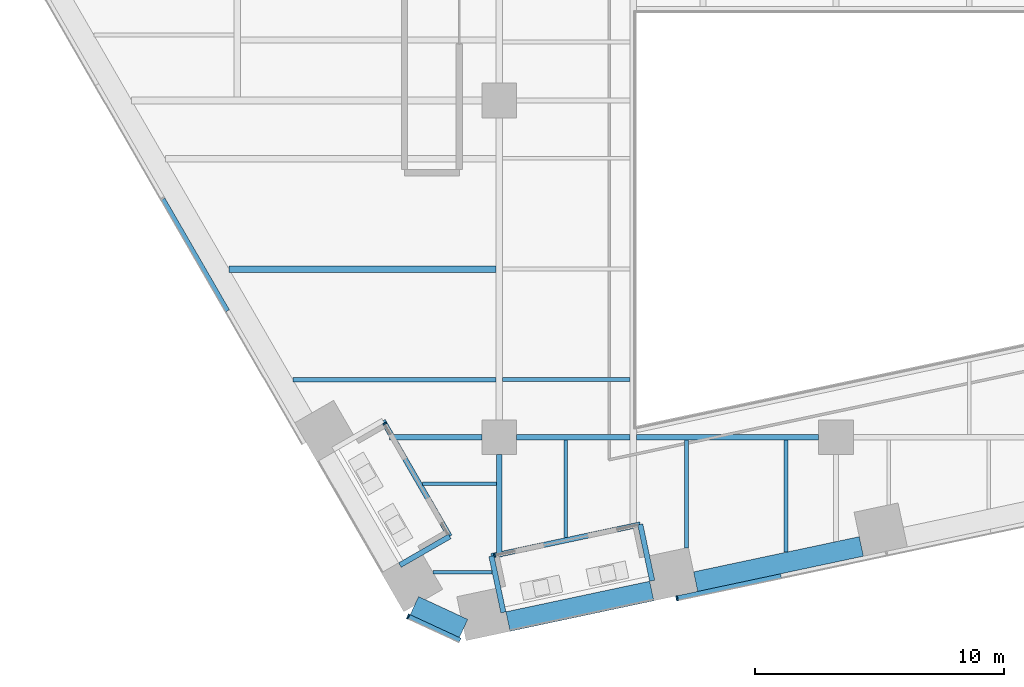
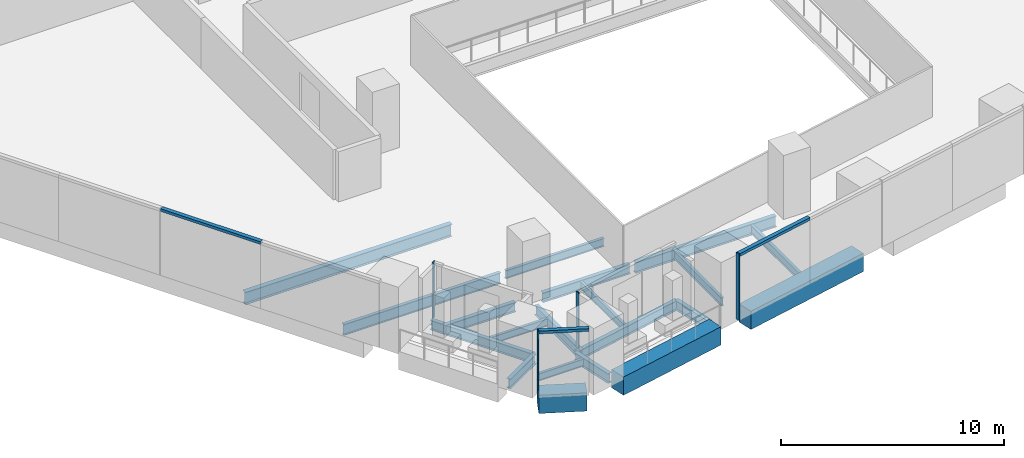
# One storey, part 2 of 28: 20 beams, 7 members, 5 elements without a shape of their own.
"""IFC4 building model written with IfcOpenShell, lengths in metres."""

import ifcopenshell
import ifcopenshell.guid

model = None  # the IFC model being written
_history = None  # IfcOwnerHistory: only IFC2X3 demands one
_inside = {}  # id of a spatial element -> (the spatial element, [elements in it])
_under = {}  # id of a project, library or spatial element -> (it, [spatial elements below it])
_declared = {}  # id of a project -> (the project, [libraries it declares])
_typed = {}  # id of a type object -> (the type object, [elements of that type])
_made_of = {}  # id of a material, layer set ... -> (it, [elements and type objects made of it])


def new_model(schema):
    """Start an empty IFC model of exactly this schema.

    Asked for "IFC4X3", IfcOpenShell would pick the latest addendum, in which some entities
    have other attributes; the version numbers below select the first issue.
    IFC2X3 requires an IfcOwnerHistory on every rooted entity: one is made here for all.
    """
    global model, _history
    if schema == "IFC4X3":
        model = ifcopenshell.file(schema_version=(4, 3, 0, 0))
    else:
        model = ifcopenshell.file(schema=schema)
    _inside.clear()
    _under.clear()
    _declared.clear()
    _typed.clear()
    _made_of.clear()
    _history = None
    if model.schema == "IFC2X3":
        org = make("IfcOrganization", Name="unknown")
        user = make(
            "IfcPersonAndOrganization",
            ThePerson=make("IfcPerson", FamilyName="unknown"),
            TheOrganization=org,
        )
        app = make(
            "IfcApplication",
            ApplicationDeveloper=org,
            Version="unknown",
            ApplicationFullName="unknown",
            ApplicationIdentifier="unknown",
        )
        _history = make(
            "IfcOwnerHistory",
            OwningUser=user,
            OwningApplication=app,
            ChangeAction="ADDED",
            CreationDate=0,
        )
    return model


def make(cls, **values):
    """One entity of the class cls with the attributes given. An attribute that is None is left unset."""
    return model.create_entity(
        cls, **{name: value for name, value in values.items() if value is not None}
    )


def rooted(cls, **values):
    """An entity with a GlobalId (a new one), such as an element, a storey or a relation."""
    return make(cls, GlobalId=ifcopenshell.guid.new(), OwnerHistory=_history, **values)


def si_unit(unit_type, name, prefix=None):
    """IfcSIUnit, for example si_unit("LENGTHUNIT", "METRE", prefix="MILLI")."""
    return make("IfcSIUnit", UnitType=unit_type, Prefix=prefix, Name=name)


def assignment(units):
    """IfcUnitAssignment: the units of a project."""
    return None if units is None else make("IfcUnitAssignment", Units=units)


def point(xyz):
    """IfcCartesianPoint."""
    return None if xyz is None else make("IfcCartesianPoint", Coordinates=xyz)


def direction(xyz):
    """IfcDirection."""
    return None if xyz is None else make("IfcDirection", DirectionRatios=xyz)


def frame(location, z_axis=None, x_axis=None):
    """IfcAxis2Placement3D, a coordinate frame: its origin and axes. An axis left out is left unset."""
    return make(
        "IfcAxis2Placement3D",
        Location=point(location),
        Axis=direction(z_axis),
        RefDirection=direction(x_axis),
    )


def frame_2d(location, x_axis=None):
    """IfcAxis2Placement2D, a coordinate frame in the plane: its origin and x axis."""
    return make(
        "IfcAxis2Placement2D", Location=point(location), RefDirection=direction(x_axis)
    )


def origin():
    """The frame at (0, 0, 0) with its axes left unset."""
    return frame((0.0, 0.0, 0.0))


def origin_2d():
    """The frame at (0, 0) in the plane with its x axis left unset."""
    return frame_2d((0.0, 0.0))


def place(relative_to, where):
    """IfcLocalPlacement: puts the frame where relative to a parent placement (None: the world)."""
    return make(
        "IfcLocalPlacement", PlacementRelTo=relative_to, RelativePlacement=where
    )


def context(
    kind, dimensions, precision=None, world=None, true_north=None, identifier=None
):
    """IfcGeometricRepresentationContext, for example the 3D "Model" context."""
    return make(
        "IfcGeometricRepresentationContext",
        ContextIdentifier=identifier,
        ContextType=kind,
        CoordinateSpaceDimension=dimensions,
        Precision=precision,
        WorldCoordinateSystem=world,
        TrueNorth=true_north,
    )


def subcontext(parent, identifier, kind, view, scale=None):
    """IfcGeometricRepresentationSubContext, for example "Body" below "Model"."""
    return make(
        "IfcGeometricRepresentationSubContext",
        ContextIdentifier=identifier,
        ContextType=kind,
        ParentContext=parent,
        TargetScale=scale,
        TargetView=view,
    )


def project(units=None, contexts=None):
    """IfcProject with its units and contexts."""
    return rooted(
        "IfcProject",
        Name="project",
        RepresentationContexts=contexts,
        UnitsInContext=assignment(units),
    )


def spatial(cls, under=None, at=None, **own):
    """A site, building, storey or space (cls), placed at a placement, below another one or the project."""
    s = rooted(cls, ObjectPlacement=at, **own)
    if under is not None:
        _under.setdefault(under.id(), (under, []))[1].append(s)
    return s


def profile(cls, at=None, kind="AREA", **sizes):
    """A parametric profile (cls). Its sizes go by their IFC names, for example OverallWidth=200.0."""
    return make(cls, ProfileType=kind, Position=at, **sizes)


def rectangle(**sizes):
    """IfcRectangleProfileDef."""
    return profile("IfcRectangleProfileDef", **sizes)


def i_section(**sizes):
    """IfcIShapeProfileDef."""
    return profile("IfcIShapeProfileDef", **sizes)


def extrude(swept, where, along, depth):
    """IfcExtrudedAreaSolid: the profile swept, set in the frame where, extruded along a direction by depth."""
    return make(
        "IfcExtrudedAreaSolid",
        SweptArea=swept,
        Position=where,
        ExtrudedDirection=direction(along),
        Depth=depth,
    )


def shape(context_of_items, identifier, shape_type, items):
    """IfcShapeRepresentation: the items that make up one representation, for example the "Body"."""
    return make(
        "IfcShapeRepresentation",
        ContextOfItems=context_of_items,
        RepresentationIdentifier=identifier,
        RepresentationType=shape_type,
        Items=items,
    )


def material(Name=None, Category=None):
    """IfcMaterial."""
    return make("IfcMaterial", Name=Name, Category=Category)


def layer(
    of_material, thickness, ventilated=None, Name=None, Category=None, Priority=None
):
    """IfcMaterialLayer: one layer of a wall or slab, of a material (None: an air gap)."""
    return make(
        "IfcMaterialLayer",
        Material=of_material,
        LayerThickness=thickness,
        IsVentilated=ventilated,
        Name=Name,
        Category=Category,
        Priority=Priority,
    )


def layer_set(layers, Name=None):
    """IfcMaterialLayerSet."""
    return make("IfcMaterialLayerSet", MaterialLayers=layers, LayerSetName=Name)


def material_profile(
    of_material, cross_section, Name=None, Category=None, Priority=None
):
    """IfcMaterialProfile: a cross section and its material."""
    return make(
        "IfcMaterialProfile",
        Name=Name,
        Material=of_material,
        Profile=cross_section,
        Priority=Priority,
        Category=Category,
    )


def profile_set(profiles, Name=None, composite=None):
    """IfcMaterialProfileSet."""
    return make(
        "IfcMaterialProfileSet",
        Name=Name,
        MaterialProfiles=profiles,
        CompositeProfile=composite,
    )


def made_of(thing, what):
    """Note that an element or type object is made of a material, layer set ...; save() writes the relation."""
    if what is not None:
        _made_of.setdefault(what.id(), (what, []))[1].append(thing)
    return thing


def type_object(cls, material=None, **own):
    """A type object (cls), such as IfcWallType, which elements share."""
    return made_of(rooted(cls, **own), material)


def element(
    cls,
    number,
    at=None,
    inside=None,
    cuts=None,
    type_object=None,
    material=None,
    context=None,
    identifier="Body",
    shape_type=None,
    held_by="IfcProductDefinitionShape",
    body=None,
    shapes=None,
    **own,
):
    """One element of the class cls, such as IfcWall. Its Tag is "e" and its number.

    at: its placement. inside: the storey or other place that contains it. cuts: it is an
    opening in that element (IfcRelVoidsElement). A single representation is given by context,
    identifier, shape_type and body (its items); several are given by shapes. held_by: the class
    of the entity that holds the representations. save() writes the other relations.
    """
    e = rooted(cls, Tag="e%d" % number, ObjectPlacement=at, **own)
    if body is not None:
        shapes = [shape(context, identifier, shape_type, body)]
    if shapes is not None:
        e.Representation = make(held_by, Representations=shapes)
    if inside is not None:
        _inside.setdefault(inside.id(), (inside, []))[1].append(e)
    if cuts is not None:
        rooted(
            "IfcRelVoidsElement", RelatingBuildingElement=cuts, RelatedOpeningElement=e
        )
    if type_object is not None:
        _typed.setdefault(type_object.id(), (type_object, []))[1].append(e)
    return made_of(e, material)


def aggregate(whole, parts):
    """IfcRelAggregates: a whole, such as a stair, and the parts it consists of."""
    return rooted("IfcRelAggregates", RelatingObject=whole, RelatedObjects=parts)


def save(model, path):
    """Write the relations noted so far, then the file.

    IfcRelAggregates (storeys below a building ...), IfcRelContainedInSpatialStructure (elements
    in a storey), IfcRelDefinesByType, IfcRelAssociatesMaterial and IfcRelDeclares: one each for
    every whole, place, type object, material and project.
    """
    for whole, parts in _under.values():
        aggregate(whole, parts)
    for where, things in _inside.values():
        rooted(
            "IfcRelContainedInSpatialStructure",
            RelatedElements=things,
            RelatingStructure=where,
        )
    for kind, things in _typed.values():
        rooted("IfcRelDefinesByType", RelatedObjects=things, RelatingType=kind)
    for what, things in _made_of.values():
        rooted("IfcRelAssociatesMaterial", RelatedObjects=things, RelatingMaterial=what)
    for by, libraries in _declared.values():
        rooted("IfcRelDeclares", RelatingContext=by, RelatedDefinitions=libraries)
    model.write(path)


model = new_model("IFC4")

# Units and contexts
model_context = context("Model", 3, precision=1e-05, world=origin(), true_north=direction((0.0, 1.0)))
body_context = subcontext(model_context, "Body", "Model", "MODEL_VIEW")
ifc_project = project(units=[si_unit("LENGTHUNIT", "METRE"), si_unit("AREAUNIT", "SQUARE_METRE"), si_unit("VOLUMEUNIT", "CUBIC_METRE"), si_unit("PLANEANGLEUNIT", "RADIAN"), si_unit("MASSUNIT", "GRAM", prefix="KILO")], contexts=[model_context])

# Site, building, storey
site_placement = place(None, origin())
site = spatial("IfcSite", under=ifc_project, at=site_placement, CompositionType="ELEMENT")
building_placement = place(site_placement, origin())
building = spatial("IfcBuilding", under=site, at=building_placement, Name="Isthmus Gate Tower", CompositionType="ELEMENT")
storey_placement = place(building_placement, frame((0.0, 0.0, 68.85009765625)))
storey = spatial("IfcBuildingStorey", under=building, at=storey_placement, Name="L15", CompositionType="ELEMENT", Elevation=68.85009765625)

# Curtain wall, member
ifc_material_1 = material(Name="Aluminium, pale champagne anodised", Category="aluminium")
ifc_layer_1 = layer(ifc_material_1, 0.199951171875)
ifc_layer_set_1 = layer_set([ifc_layer_1], Name="CW-1 UNITISED CURTAIN WALL 200 DEEP")
curtain_wall_type_1 = type_object("IfcCurtainWallType", Name="CW-1 UNITISED CURTAIN WALL 200 DEEP", PredefinedType="NOTDEFINED", material=ifc_layer_set_1)
curtain_wall_1_placement = place(storey_placement, origin())
curtain_wall_1 = element("IfcCurtainWall", 1, at=curtain_wall_1_placement, inside=storey, type_object=curtain_wall_type_1, Name="CW-1 SW-S L15", PredefinedType="NOTDEFINED")
ifc_material_2 = material(Name="Aluminium, pale champagne anodised", Category="aluminium")
ifc_material_profile_1 = material_profile(ifc_material_2, rectangle(XDim=0.06005859375, YDim=0.199951171875, at=origin_2d()), Name="60x200")
ifc_profile_set_1 = profile_set([ifc_material_profile_1], Name="Aluminium, pale champagne anodised")
member_type_1 = type_object("IfcMemberType", Name="CW-1 MULLION 60 X 200", PredefinedType="MULLION", material=ifc_profile_set_1)
member_1_placement = place(storey_placement, frame((-17.14794921875, -34.184814453125, 0.0), z_axis=(0.0, 0.0, 1.0), x_axis=(0.907256261367, -0.420578264073, 0.0)))
member_1 = element("IfcMember", 2, at=member_1_placement, type_object=member_type_1, Name="CW-1 mullion", PredefinedType="MULLION", context=body_context, shape_type="SweptSolid", body=[
    extrude(rectangle(XDim=0.06005859375, YDim=0.199951171875, at=origin_2d()), origin(), (0.0, 0.0, 1.0), 3.64990234375),
])

curtain_wall_2_placement = place(storey_placement, origin())
curtain_wall_2 = element("IfcCurtainWall", 3, at=curtain_wall_2_placement, inside=storey, type_object=curtain_wall_type_1, Name="CW-1 S L15", PredefinedType="NOTDEFINED")
member_2_placement = place(storey_placement, frame((-6.373779296875, -33.45703125, 0.0), z_axis=(0.0, 0.0, 1.0), x_axis=(0.978147600734, 0.207911690818, 0.0)))
member_2 = element("IfcMember", 4, at=member_2_placement, type_object=member_type_1, Name="CW-1 mullion", PredefinedType="MULLION", context=body_context, shape_type="SweptSolid", body=[
    extrude(rectangle(XDim=0.06005859375, YDim=0.199951171875, at=origin_2d()), origin(), (0.0, 0.0, 1.0), 3.64990234375),
])

curtain_wall_3_placement = place(storey_placement, origin())
curtain_wall_3 = element("IfcCurtainWall", 5, at=curtain_wall_3_placement, inside=storey, type_object=curtain_wall_type_1, Name="CW-1 SW L15", PredefinedType="NOTDEFINED")
ifc_material_3 = material(Name="Aluminium, pale champagne anodised", Category="aluminium")
ifc_material_profile_2 = material_profile(ifc_material_3, rectangle(XDim=0.199951171875, YDim=0.14990234375, at=origin_2d()), Name="200x150")
ifc_profile_set_2 = profile_set([ifc_material_profile_2], Name="Aluminium, pale champagne anodised")
member_type_2 = type_object("IfcMemberType", Name="CW-1 TRANSOM 200 X 150", PredefinedType="USERDEFINED", material=ifc_profile_set_2)
member_3_placement = place(storey_placement, frame((-26.98681640625, -17.45751953125, 3.574951171875), z_axis=(0.49999612508, -0.866027640959, 0.0), x_axis=(0.866027640959, 0.49999612508, 0.0)))
member_3 = element("IfcMember", 6, at=member_3_placement, type_object=member_type_2, Name="CW-1 transom", ObjectType="TRANSOM", PredefinedType="USERDEFINED", context=body_context, shape_type="SweptSolid", body=[
    extrude(rectangle(XDim=0.199951171875, YDim=0.14990234375, at=origin_2d()), origin(), (0.0, 0.0, 1.0), 5.173828125),
])
aggregate(curtain_wall_3, [member_3])

# Member
member_4_placement = place(storey_placement, frame((-17.120849609375, -34.197509765625, 3.574951171875), z_axis=(0.907246225564, -0.420599912268, 0.0), x_axis=(0.420599912268, 0.907246225564, 0.0)))
member_4 = element("IfcMember", 7, at=member_4_placement, type_object=member_type_2, Name="CW-1 transom", ObjectType="TRANSOM", PredefinedType="USERDEFINED", context=body_context, shape_type="SweptSolid", body=[
    extrude(rectangle(XDim=0.199951171875, YDim=0.14990234375, at=origin_2d()), origin(), (0.0, 0.0, 1.0), 2.258544921875),
])

aggregate(curtain_wall_1, [member_1, member_4])

member_5_placement = place(storey_placement, frame((-6.344482421875, -33.45068359375, 3.574951171875), z_axis=(0.978150351608, 0.20789874855, 0.0), x_axis=(-0.20789874855, 0.978150351608, 0.0)))
member_5 = element("IfcMember", 8, at=member_5_placement, type_object=member_type_2, Name="CW-1 transom", ObjectType="TRANSOM", PredefinedType="USERDEFINED", context=body_context, shape_type="SweptSolid", body=[
    extrude(rectangle(XDim=0.199951171875, YDim=0.14990234375, at=origin_2d()), origin(), (0.0, 0.0, 1.0), 4.234619140625),
])

aggregate(curtain_wall_2, [member_2, member_5])

# Curtain wall, member
ifc_material_4 = material(Name="Aluminium, pale champagne anodised", Category="aluminium")
ifc_layer_2 = layer(ifc_material_4, 0.14990234375)
ifc_layer_set_2 = layer_set([ifc_layer_2], Name="CW-6 LOGGIA BACK WALL GLAZING 150 DEEP")
curtain_wall_type_2 = type_object("IfcCurtainWallType", Name="CW-6 LOGGIA BACK WALL GLAZING 150 DEEP", PredefinedType="NOTDEFINED", material=ifc_layer_set_2)
curtain_wall_4_placement = place(storey_placement, origin())
curtain_wall_4 = element("IfcCurtainWall", 9, at=curtain_wall_4_placement, inside=storey, type_object=curtain_wall_type_2, Name="CW-6 SW L15", PredefinedType="NOTDEFINED")
ifc_material_5 = material(Name="Aluminium, pale champagne anodised", Category="aluminium")
ifc_material_profile_3 = material_profile(ifc_material_5, rectangle(XDim=0.06005859375, YDim=0.14990234375, at=origin_2d()), Name="60x150")
ifc_profile_set_3 = profile_set([ifc_material_profile_3], Name="Aluminium, pale champagne anodised")
member_type_3 = type_object("IfcMemberType", Name="CW-6 MULLION 60 X 150", PredefinedType="MULLION", material=ifc_profile_set_3)
member_6_placement = place(storey_placement, frame((-18.096923828125, -26.455322265625, 0.0), z_axis=(0.0, 0.0, 1.0), x_axis=(0.5, -0.866025403784, 0.0)))
member_6 = element("IfcMember", 10, at=member_6_placement, type_object=member_type_3, Name="CW-6 mullion", PredefinedType="MULLION", context=body_context, shape_type="SweptSolid", body=[
    extrude(rectangle(XDim=0.06005859375, YDim=0.14990234375, at=origin_2d()), origin(), (0.0, 0.0, 1.0), 3.0498046875),
])
aggregate(curtain_wall_4, [member_6])

curtain_wall_5_placement = place(storey_placement, origin())
curtain_wall_5 = element("IfcCurtainWall", 11, at=curtain_wall_5_placement, inside=storey, type_object=curtain_wall_type_2, Name="CW-6 S L15", PredefinedType="NOTDEFINED")
member_7_placement = place(storey_placement, frame((-13.68017578125, -31.738525390625, 0.0), z_axis=(0.0, 0.0, 1.0), x_axis=(0.978147600734, 0.207911690818, 0.0)))
member_7 = element("IfcMember", 12, at=member_7_placement, type_object=member_type_3, Name="CW-6 mullion", PredefinedType="MULLION", context=body_context, shape_type="SweptSolid", body=[
    extrude(rectangle(XDim=0.06005859375, YDim=0.14990234375, at=origin_2d()), origin(), (0.0, 0.0, 1.0), 3.0498046875),
])
aggregate(curtain_wall_5, [member_7])

# Beams
ifc_material_6 = material(Name="Concrete f'c 70 MPa", Category="concrete")
ifc_material_profile_4 = material_profile(ifc_material_6, rectangle(XDim=0.800048828125, YDim=1.0, at=origin_2d()), Name="RC 800X1000")
ifc_profile_set_4 = profile_set([ifc_material_profile_4], Name="Concrete f'c 70 MPa")
beam_type_1 = type_object("IfcBeamType", Name="RC SPANDREL 800 X 1000", PredefinedType="SPANDREL", material=ifc_profile_set_4)
beam_1_placement = place(storey_placement, frame((1.01416015625, -31.37548828125, -0.5), z_axis=(-0.978145779981, -0.207920256603, 0.0), x_axis=(0.207920256603, -0.978145779981, 0.0)))
element("IfcBeam", 13, at=beam_1_placement, inside=storey, type_object=beam_type_1, Name="str-spandrel-L15-12", PredefinedType="SPANDREL", context=body_context, shape_type="SweptSolid", body=[
    extrude(rectangle(XDim=0.800048828125, YDim=1.0, at=origin_2d()), origin(), (0.0, 0.0, 1.0), 6.789306640625),
])
beam_2_placement = place(storey_placement, frame((-7.387451171875, -33.161376953125, -0.5), z_axis=(-0.978149894464, -0.207900899374, 0.0), x_axis=(0.207900899374, -0.978149894464, 0.0)))
element("IfcBeam", 14, at=beam_2_placement, inside=storey, type_object=beam_type_1, Name="str-spandrel-L15-13", PredefinedType="SPANDREL", context=body_context, shape_type="SweptSolid", body=[
    extrude(rectangle(XDim=0.800048828125, YDim=1.0, at=origin_2d()), origin(), (0.0, 0.0, 1.0), 5.88916015625),
])
beam_3_placement = place(storey_placement, frame((-14.929443359375, -34.662109375, -0.5), z_axis=(-0.907290744498, 0.420503870314, 0.0), x_axis=(-0.420503870314, -0.907290744498, 0.0)))
element("IfcBeam", 15, at=beam_3_placement, inside=storey, type_object=beam_type_1, Name="str-spandrel-L15-14", PredefinedType="SPANDREL", context=body_context, shape_type="SweptSolid", body=[
    extrude(rectangle(XDim=0.800048828125, YDim=1.0, at=origin_2d()), origin(), (0.0, 0.0, 1.0), 2.173095703125),
])
ifc_material_7 = material(Name="Structural steel ASTM A992 Gr 50", Category="steel")
ifc_material_profile_5 = material_profile(ifc_material_7, i_section(OverallWidth=0.1396484375, OverallDepth=0.4033203125, WebThickness=0.00634765625, FlangeThickness=0.010986328125, at=origin_2d()), Name="W16X31")
ifc_profile_set_5 = profile_set([ifc_material_profile_5], Name="Structural steel ASTM A992 Gr 50")
beam_type_2 = type_object("IfcBeamType", Name="STEEL FLOOR BEAM W16X31", PredefinedType="JOIST", material=ifc_profile_set_5)
beam_4_placement = place(storey_placement, frame((-16.162353515625, -32.406005859375, -0.351806640625), z_axis=(1.0, 0.0, 0.0), x_axis=(0.0, 1.0, 0.0)))
element("IfcBeam", 16, at=beam_4_placement, inside=storey, type_object=beam_type_2, Name="str-beam-L15-11-00", PredefinedType="JOIST", context=body_context, shape_type="SweptSolid", body=[
    extrude(i_section(OverallWidth=0.1396484375, OverallDepth=0.4033203125, WebThickness=0.00634765625, FlangeThickness=0.010986328125, at=origin_2d()), origin(), (0.0, 0.0, 1.0), 2.37939453125),
])
beam_5_placement = place(storey_placement, frame((-16.5751953125, -28.871826171875, -0.351806640625), z_axis=(1.0, 0.0, 0.0), x_axis=(0.0, 1.0, 0.0)))
element("IfcBeam", 17, at=beam_5_placement, inside=storey, type_object=beam_type_2, Name="str-beam-L15-11-01", PredefinedType="JOIST", context=body_context, shape_type="SweptSolid", body=[
    extrude(i_section(OverallWidth=0.1396484375, OverallDepth=0.4033203125, WebThickness=0.00634765625, FlangeThickness=0.010986328125, at=origin_2d()), origin(), (0.0, 0.0, 1.0), 2.970458984375),
])
beam_6_placement = place(storey_placement, frame((-10.8310546875, -31.02099609375, -0.351806640625), z_axis=(0.0, 1.0, 0.0), x_axis=(-1.0, 0.0, 0.0)))
element("IfcBeam", 18, at=beam_6_placement, inside=storey, type_object=beam_type_2, Name="str-beam-L15-12-00", PredefinedType="JOIST", context=body_context, shape_type="SweptSolid", body=[
    extrude(i_section(OverallWidth=0.1396484375, OverallDepth=0.4033203125, WebThickness=0.00634765625, FlangeThickness=0.010986328125, at=origin_2d()), origin(), (0.0, 0.0, 1.0), 3.916259765625),
])
ifc_material_8 = material(Name="Structural steel ASTM A992 Gr 50", Category="steel")
ifc_material_profile_6 = material_profile(ifc_material_8, i_section(OverallWidth=0.15234375, OverallDepth=0.45068359375, WebThickness=0.0078125, FlangeThickness=0.010986328125, at=origin_2d()), Name="W18X35")
ifc_profile_set_6 = profile_set([ifc_material_profile_6], Name="Structural steel ASTM A992 Gr 50")
beam_type_3 = type_object("IfcBeamType", Name="STEEL FLOOR BEAM W18X35", PredefinedType="JOIST", material=ifc_profile_set_6)
beam_7_placement = place(storey_placement, frame((-13.3681640625, -24.68017578125, -0.37548828125), z_axis=(1.0, 0.0, 0.0), x_axis=(0.0, 1.0, 0.0)))
element("IfcBeam", 19, at=beam_7_placement, inside=storey, type_object=beam_type_3, Name="str-beam-L15-14-00", PredefinedType="JOIST", context=body_context, shape_type="SweptSolid", body=[
    extrude(i_section(OverallWidth=0.15234375, OverallDepth=0.45068359375, WebThickness=0.0078125, FlangeThickness=0.010986328125, at=origin_2d()), origin(), (0.0, 0.0, 1.0), 5.1015625),
])
beam_8_placement = place(storey_placement, frame((-6.0, -31.43505859375, -0.37548828125), z_axis=(0.0, 1.0, 0.0), x_axis=(-1.0, 0.0, 0.0)))
element("IfcBeam", 20, at=beam_8_placement, inside=storey, type_object=beam_type_3, Name="str-beam-L15-19-00", PredefinedType="JOIST", context=body_context, shape_type="SweptSolid", body=[
    extrude(i_section(OverallWidth=0.15234375, OverallDepth=0.45068359375, WebThickness=0.0078125, FlangeThickness=0.010986328125, at=origin_2d()), origin(), (0.0, 0.0, 1.0), 4.32080078125),
])
beam_9_placement = place(storey_placement, frame((-2.0, -31.607177734375, -0.37548828125), z_axis=(0.0, 1.0, 0.0), x_axis=(-1.0, 0.0, 0.0)))
element("IfcBeam", 21, at=beam_9_placement, inside=storey, type_object=beam_type_3, Name="str-beam-L15-19-01", PredefinedType="JOIST", context=body_context, shape_type="SweptSolid", body=[
    extrude(i_section(OverallWidth=0.15234375, OverallDepth=0.45068359375, WebThickness=0.0078125, FlangeThickness=0.010986328125, at=origin_2d()), origin(), (0.0, 0.0, 1.0), 4.492919921875),
])
ifc_material_9 = material(Name="Structural steel ASTM A992 Gr 50", Category="steel")
ifc_material_profile_7 = material_profile(ifc_material_9, i_section(OverallWidth=0.177734375, OverallDepth=0.60009765625, WebThickness=0.009521484375, FlangeThickness=0.0126953125, at=origin_2d()), Name="W24X55")
ifc_profile_set_7 = profile_set([ifc_material_profile_7], Name="Structural steel ASTM A992 Gr 50")
beam_type_4 = type_object("IfcBeamType", Name="STEEL FLOOR BEAM W24X55", PredefinedType="JOIST", material=ifc_profile_set_7)
beam_10_placement = place(storey_placement, frame((-21.7734375, -24.687255859375, -0.4501953125), z_axis=(1.0, 0.0, 0.0), x_axis=(0.0, 1.0, 0.0)))
element("IfcBeam", 22, at=beam_10_placement, inside=storey, type_object=beam_type_4, Name="str-beam-L15-05-00", PredefinedType="JOIST", context=body_context, shape_type="SweptSolid", body=[
    extrude(i_section(OverallWidth=0.177734375, OverallDepth=0.60009765625, WebThickness=0.009521484375, FlangeThickness=0.0126953125, at=origin_2d()), origin(), (0.0, 0.0, 1.0), 8.1416015625),
])
ifc_material_10 = material(Name="Structural steel ASTM A992 Gr 50", Category="steel")
ifc_material_profile_8 = material_profile(ifc_material_10, i_section(OverallWidth=0.25390625, OverallDepth=0.679443359375, WebThickness=0.010986328125, FlangeThickness=0.015869140625, at=origin_2d()), Name="W27X84")
ifc_profile_set_8 = profile_set([ifc_material_profile_8], Name="Structural steel ASTM A992 Gr 50")
beam_type_5 = type_object("IfcBeamType", Name="STEEL FLOOR BEAM W27X84", PredefinedType="JOIST", material=ifc_profile_set_8)
beam_11_placement = place(storey_placement, frame((-24.326171875, -20.265625, -0.48974609375), z_axis=(1.0, 0.0, 0.0), x_axis=(0.0, 1.0, 0.0)))
element("IfcBeam", 23, at=beam_11_placement, inside=storey, type_object=beam_type_5, Name="str-beam-L15-05-01", PredefinedType="JOIST", context=body_context, shape_type="SweptSolid", body=[
    extrude(i_section(OverallWidth=0.25390625, OverallDepth=0.679443359375, WebThickness=0.010986328125, FlangeThickness=0.015869140625, at=origin_2d()), origin(), (0.0, 0.0, 1.0), 10.6943359375),
])
ifc_material_11 = material(Name="Structural steel ASTM A992 Gr 50", Category="steel")
ifc_material_profile_9 = material_profile(ifc_material_11, i_section(OverallWidth=0.20947265625, OverallDepth=0.533447265625, WebThickness=0.009521484375, FlangeThickness=0.015869140625, at=origin_2d()), Name="W21X62")
ifc_profile_set_9 = profile_set([ifc_material_profile_9], Name="Structural steel ASTM A992 Gr 50")
beam_type_6 = type_object("IfcBeamType", Name="STEEL GIRDER W21X62", PredefinedType="BEAM", material=ifc_profile_set_9)
beam_12_placement = place(storey_placement, frame((-17.89794921875, -27.0, -0.416748046875), z_axis=(1.0, 0.0, 0.0), x_axis=(0.0, 1.0, 0.0)))
element("IfcBeam", 24, at=beam_12_placement, inside=storey, type_object=beam_type_6, Name="str-girder-L15-01", PredefinedType="BEAM", context=body_context, shape_type="SweptSolid", body=[
    extrude(i_section(OverallWidth=0.20947265625, OverallDepth=0.533447265625, WebThickness=0.009521484375, FlangeThickness=0.015869140625, at=origin_2d()), origin(), (0.0, 0.0, 1.0), 3.697998046875),
])
beam_13_placement = place(storey_placement, frame((-12.800048828125, -27.0, -0.416748046875), z_axis=(1.0, 0.0, 0.0), x_axis=(0.0, 1.0, 0.0)))
element("IfcBeam", 25, at=beam_13_placement, inside=storey, type_object=beam_type_6, Name="str-girder-L15-02", PredefinedType="BEAM", context=body_context, shape_type="SweptSolid", body=[
    extrude(i_section(OverallWidth=0.20947265625, OverallDepth=0.533447265625, WebThickness=0.009521484375, FlangeThickness=0.015869140625, at=origin_2d()), origin(), (0.0, 0.0, 1.0), 4.533447265625),
])
beam_14_placement = place(storey_placement, frame((-13.5, -31.802490234375, -0.416748046875), z_axis=(0.0, 1.0, 0.0), x_axis=(-1.0, 0.0, 0.0)))
element("IfcBeam", 26, at=beam_14_placement, inside=storey, type_object=beam_type_6, Name="str-girder-L15-23", PredefinedType="BEAM", context=body_context, shape_type="SweptSolid", body=[
    extrude(i_section(OverallWidth=0.20947265625, OverallDepth=0.533447265625, WebThickness=0.009521484375, FlangeThickness=0.015869140625, at=origin_2d()), origin(), (0.0, 0.0, 1.0), 4.1025390625),
])
ifc_material_12 = material(Name="Structural steel ASTM A992 Gr 50", Category="steel")
ifc_material_profile_10 = material_profile(ifc_material_12, i_section(OverallWidth=0.228515625, OverallDepth=0.603271484375, WebThickness=0.010986328125, FlangeThickness=0.014404296875, at=origin_2d()), Name="W24X68")
ifc_profile_set_10 = profile_set([ifc_material_profile_10], Name="Structural steel ASTM A992 Gr 50")
beam_type_7 = type_object("IfcBeamType", Name="STEEL GIRDER W24X68", PredefinedType="BEAM", material=ifc_profile_set_10)
beam_15_placement = place(storey_placement, frame((-8.0, -27.0, -0.45166015625), z_axis=(1.0, 0.0, 0.0), x_axis=(0.0, 1.0, 0.0)))
element("IfcBeam", 27, at=beam_15_placement, inside=storey, type_object=beam_type_7, Name="str-girder-L15-03", PredefinedType="BEAM", context=body_context, shape_type="SweptSolid", body=[
    extrude(i_section(OverallWidth=0.228515625, OverallDepth=0.603271484375, WebThickness=0.010986328125, FlangeThickness=0.014404296875, at=origin_2d()), origin(), (0.0, 0.0, 1.0), 7.300048828125),
])
ifc_material_13 = material(Name="Structural steel ASTM A992 Gr 50", Category="steel")
ifc_material_profile_11 = material_profile(ifc_material_13, i_section(OverallWidth=0.20947265625, OverallDepth=0.533447265625, WebThickness=0.009521484375, FlangeThickness=0.015869140625, at=origin_2d()), Name="W21X62")
ifc_profile_set_11 = profile_set([ifc_material_profile_11], Name="Structural steel ASTM A992 Gr 50")
beam_type_8 = type_object("IfcBeamType", Name="STEEL TRIMMER W21X62", PredefinedType="BEAM", material=ifc_profile_set_11)
beam_16_placement = place(storey_placement, frame((-18.16015625, -26.33642578125, -0.416748046875), z_axis=(0.500009341406, -0.866020010454, 0.0), x_axis=(0.866020010454, 0.500009341406, 0.0)))
element("IfcBeam", 28, at=beam_16_placement, inside=storey, type_object=beam_type_8, Name="str-loggiatrim-L15-03-B", PredefinedType="BEAM", context=body_context, shape_type="SweptSolid", body=[
    extrude(i_section(OverallWidth=0.20947265625, OverallDepth=0.533447265625, WebThickness=0.009521484375, FlangeThickness=0.015869140625, at=origin_2d()), origin(), (0.0, 0.0, 1.0), 5.35302734375),
])
beam_17_placement = place(storey_placement, frame((-17.4794921875, -32.12451171875, -0.416748046875), z_axis=(0.866017993231, 0.500012835235, 0.0), x_axis=(-0.500012835235, 0.866017993231, 0.0)))
element("IfcBeam", 29, at=beam_17_placement, inside=storey, type_object=beam_type_8, Name="str-loggiatrim-L15-03-C", PredefinedType="BEAM", context=body_context, shape_type="SweptSolid", body=[
    extrude(i_section(OverallWidth=0.20947265625, OverallDepth=0.533447265625, WebThickness=0.009521484375, FlangeThickness=0.015869140625, at=origin_2d()), origin(), (0.0, 0.0, 1.0), 2.3046875),
])
beam_18_placement = place(storey_placement, frame((-13.81298828125, -31.761962890625, -0.416748046875), z_axis=(0.978146131956, 0.207918600752, 0.0), x_axis=(-0.207918600752, 0.978146131956, 0.0)))
element("IfcBeam", 30, at=beam_18_placement, inside=storey, type_object=beam_type_8, Name="str-loggiatrim-L15-04-B", PredefinedType="BEAM", context=body_context, shape_type="SweptSolid", body=[
    extrude(i_section(OverallWidth=0.20947265625, OverallDepth=0.533447265625, WebThickness=0.009521484375, FlangeThickness=0.015869140625, at=origin_2d()), origin(), (0.0, 0.0, 1.0), 6.098876953125),
])
for number, where, z_axis, x_axis, name in (
    (31, (-13.333740234375, -34.016357421875, -0.416748046875), (-0.20793730269, 0.978142156412, 0.0), (-0.978142156412, -0.20793730269, 0.0), "str-loggiatrim-L15-04-A"),
    (32, (-7.3681640625, -32.748291015625, -0.416748046875), (-0.20793730269, 0.978142156412, 0.0), (-0.978142156412, -0.20793730269, 0.0), "str-loggiatrim-L15-04-C"),
):
    element("IfcBeam", number, at=place(storey_placement, frame(where, z_axis=z_axis, x_axis=x_axis)), inside=storey, type_object=beam_type_8, Name=name, PredefinedType="BEAM", context=body_context, shape_type="SweptSolid", body=[
        extrude(i_section(OverallWidth=0.20947265625, OverallDepth=0.533447265625, WebThickness=0.009521484375, FlangeThickness=0.015869140625, at=origin_2d()), origin(), (0.0, 0.0, 1.0), 2.3046875),
    ])

save(model, "model.ifc")
